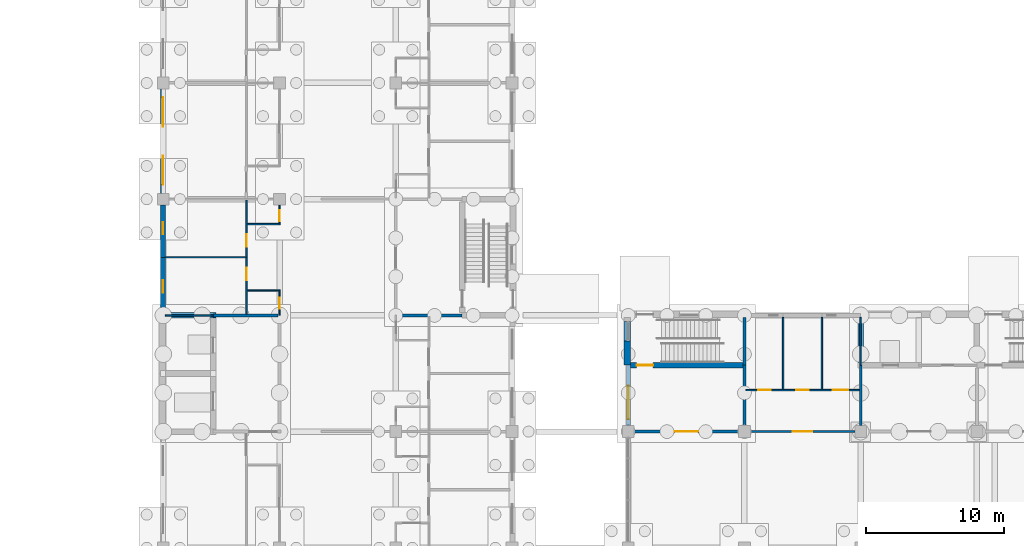
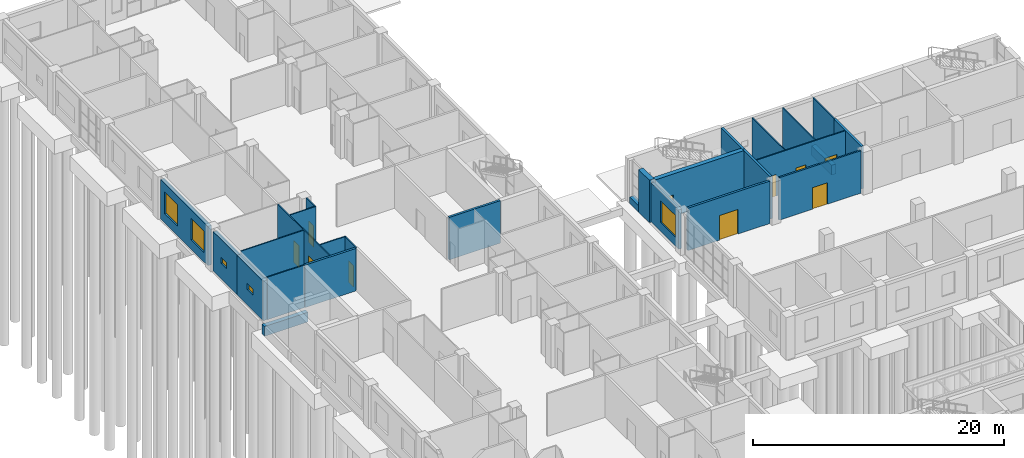
# One storey, part 106 of 138: 27 walls, 10 doors, 5 windows, 15 openings.
"""IFC4 building model written with IfcOpenShell, lengths in metres."""

from ifc_helpers import new_model, si_unit, direction, frame, frame_2d, origin, place, context, subcontext, project, spatial, rectangle, extrude, material, layer, layer_set, type_object, element, fill, save


model = new_model("IFC4")

# Units and contexts
model_context = context("Model", 3, precision=1e-05, world=origin(), true_north=direction((0.0, 1.0)))
body_context = subcontext(model_context, "Body", "Model", "MODEL_VIEW")
ifc_project = project(units=[si_unit("LENGTHUNIT", "METRE"), si_unit("AREAUNIT", "SQUARE_METRE"), si_unit("VOLUMEUNIT", "CUBIC_METRE"), si_unit("PLANEANGLEUNIT", "RADIAN"), si_unit("MASSUNIT", "GRAM", prefix="KILO")], contexts=[model_context])

# Site, building, storey
site_placement = place(None, origin())
site = spatial("IfcSite", under=ifc_project, at=site_placement, CompositionType="ELEMENT")
building_placement = place(site_placement, origin())
building = spatial("IfcBuilding", under=site, at=building_placement, Name="Yavir Park General Hospital", CompositionType="ELEMENT")
storey_placement = place(building_placement, origin())
storey = spatial("IfcBuildingStorey", under=building, at=storey_placement, Name="L00", CompositionType="ELEMENT", Elevation=0.0)

# Wall, opening, window
ifc_material_1 = material(Name="Brick slip cladding on insulated block backing", Category="masonry")
ifc_layer_1 = layer(ifc_material_1, 0.27490234375)
ifc_layer_set_1 = layer_set([ifc_layer_1], Name="Brick slip cladding on insulated block backing")
wall_type_1 = type_object("IfcWallType", Name="Brick slip faced pavilion wall 275, E 30", PredefinedType="SOLIDWALL", material=ifc_layer_set_1)
wall_1_placement = place(storey_placement, frame((33.612548828125, 67.625, 0.0), z_axis=(0.0, 0.0, 1.0), x_axis=(0.0, 1.0, 0.0)))
wall_1 = element("IfcWall", 1, at=wall_1_placement, inside=storey, type_object=wall_type_1, Name="XW3 L00-141", PredefinedType="SOLIDWALL", context=body_context, shape_type="SweptSolid", body=[
    extrude(rectangle(XDim=4.375, YDim=0.27490234375, at=frame_2d((2.1875, 0.0))), origin(), (0.0, 0.0, 1.0), 3.840087890625),
])
opening_1_placement = place(wall_1_placement, frame((0.47509765625, 0.0, 0.89990234375)))
opening_1 = element("IfcOpeningElement", 2, at=opening_1_placement, cuts=wall_1, Name="Opening WF2", PredefinedType="OPENING", context=body_context, shape_type="SweptSolid", body=[
    extrude(rectangle(XDim=2.39990234375, YDim=2.10009765625, at=frame_2d((1.199951171875, 1.050048828125))), frame((0.0, 0.1474609375, 0.0), z_axis=(0.0, -1.0, 0.0), x_axis=(1.0, 0.0, 0.0)), (0.0, 0.0, 1.0), 0.294921875),
])
ifc_material_2 = material(Name="Aluminium frame, double glazed unit", Category="aluminium")
window_type_1 = type_object("IfcWindowType", Name="Tall corridor end window 2400 x 2100", PartitioningType="DOUBLE_PANEL_VERTICAL", PredefinedType="WINDOW", material=ifc_material_2)
window_1_placement = place(opening_1_placement, origin())
window_1 = element("IfcWindow", 3, at=window_1_placement, inside=storey, type_object=window_type_1, Name="WF2 L00-062", OverallHeight=2.10009765625, OverallWidth=2.39990234375, PartitioningType="DOUBLE_PANEL_VERTICAL", PredefinedType="WINDOW", context=body_context, shape_type="SweptSolid", body=[
    extrude(rectangle(XDim=2.39990234375, YDim=2.10009765625, at=frame_2d((1.199951171875, 1.050048828125))), frame((0.0, 0.030029296875, 0.0), z_axis=(0.0, -1.0, 0.0), x_axis=(1.0, 0.0, 0.0)), (0.0, 0.0, 1.0), 0.06005859375),
])
fill(opening_1, window_1)

# Wall, opening, door
ifc_material_3 = material(Name="Double gypsum board fire partition on steel studs", Category="steel")
ifc_layer_2 = layer(ifc_material_3, 0.199951171875)
ifc_layer_set_2 = layer_set([ifc_layer_2], Name="Double gypsum board fire partition on steel studs")
wall_type_2 = type_object("IfcWallType", Name="Fire-rated partition 200, EI 60", PredefinedType="PARTITIONING", material=ifc_layer_set_2)
wall_2_placement = place(storey_placement, frame((34.02490234375, 67.199951171875, 0.0), z_axis=(0.0, 0.0, 1.0), x_axis=(1.0, 0.0, 0.0)))
wall_2 = element("IfcWall", 4, at=wall_2_placement, inside=storey, type_object=wall_type_2, Name="FP20 L00-160", PredefinedType="PARTITIONING", context=body_context, shape_type="SweptSolid", body=[
    extrude(rectangle(XDim=7.550048828125, YDim=0.199951171875, at=frame_2d((3.77490234375, 0.0))), origin(), (0.0, 0.0, 1.0), 4.139892578125),
])
opening_2_placement = place(wall_2_placement, frame((2.925048828125, 0.0, 0.0)))
opening_2 = element("IfcOpeningElement", 5, at=opening_2_placement, cuts=wall_2, Name="Opening L00.D103", PredefinedType="OPENING", context=body_context, shape_type="SweptSolid", body=[
    extrude(rectangle(XDim=1.699951171875, YDim=2.39990234375, at=frame_2d((0.85009765625, 1.199951171875))), frame((0.0, 0.10986328125, 0.0), z_axis=(0.0, -1.0, 0.0), x_axis=(1.0, 0.0, 0.0)), (0.0, 0.0, 1.0), 0.219970703125),
])
ifc_material_4 = material(Name="Steel frame, fire-resisting timber leaves", Category="steel")
door_type_1 = type_object("IfcDoorType", Name="Double fire door 1700 x 2400, EI 60", OperationType="DOUBLE_DOOR_SINGLE_SWING", PredefinedType="DOOR", material=ifc_material_4)
door_1_placement = place(opening_2_placement, origin())
door_1 = element("IfcDoor", 6, at=door_1_placement, inside=storey, type_object=door_type_1, Name="L00.D103", OperationType="SINGLE_SWING_RIGHT", OverallHeight=2.39990234375, OverallWidth=1.699951171875, PredefinedType="DOOR", context=body_context, shape_type="SweptSolid", body=[
    extrude(rectangle(XDim=1.699951171875, YDim=2.39990234375, at=frame_2d((0.85009765625, 1.199951171875))), frame((0.0, 0.02490234375, 0.0), z_axis=(0.0, -1.0, 0.0), x_axis=(1.0, 0.0, 0.0)), (0.0, 0.0, 1.0), 0.050048828125),
])
fill(opening_2, door_1)

# Walls
wall_3_placement = place(storey_placement, frame((3.60009765625, 75.60009765625, 0.0), z_axis=(0.0, 0.0, 1.0), x_axis=(1.0, 0.0, 0.0)))
element("IfcWall", 7, at=wall_3_placement, inside=storey, type_object=wall_type_2, Name="FP20 L00-178", PredefinedType="PARTITIONING", context=body_context, shape_type="SweptSolid", body=[
    extrude(rectangle(XDim=4.699951171875, YDim=0.199951171875, at=frame_2d((2.35009765625, 0.0))), origin(), (0.0, 0.0, 1.0), 4.139892578125),
])
wall_4_placement = place(storey_placement, frame((16.89990234375, 75.60009765625, 0.0), z_axis=(0.0, 0.0, 1.0), x_axis=(1.0, 0.0, 0.0)))
element("IfcWall", 8, at=wall_4_placement, inside=storey, type_object=wall_type_2, Name="FP20 L00-179", PredefinedType="PARTITIONING", context=body_context, shape_type="SweptSolid", body=[
    extrude(rectangle(XDim=4.7001953125, YDim=0.199951171875, at=frame_2d((2.35009765625, 0.0))), origin(), (0.0, 0.0, 1.0), 4.139892578125),
])
for number, where, z_axis, x_axis, name in (
    (9, (42.0, 67.625, 0.0), (0.0, 0.0, 1.0), (0.0, 1.0, 0.0), "FP20 L00-361"),
    (10, (50.39990234375, 67.625, 0.0), (0.0, 0.0, 1.0), (0.0, 1.0, 0.0), "FP20 L00-372"),
):
    element("IfcWall", number, at=place(storey_placement, frame(where, z_axis=z_axis, x_axis=x_axis)), inside=storey, type_object=wall_type_2, Name=name, PredefinedType="PARTITIONING", context=body_context, shape_type="SweptSolid", body=[
        extrude(rectangle(XDim=4.375, YDim=0.199951171875, at=frame_2d((2.1875, 0.0))), origin(), (0.0, 0.0, 1.0), 4.139892578125),
    ])
ifc_material_5 = material(Name="Double gypsum board fire partition on steel studs", Category="steel")
ifc_layer_3 = layer(ifc_material_5, 0.199951171875)
ifc_layer_set_3 = layer_set([ifc_layer_3], Name="Double gypsum board fire partition on steel studs")
wall_type_3 = type_object("IfcWallType", Name="Fire-rated partition 200, REI 150", PredefinedType="PARTITIONING", material=ifc_layer_set_3)
wall_5_placement = place(storey_placement, frame((42.0, 72.0, 0.0), z_axis=(0.0, 0.0, 1.0), x_axis=(0.0, 1.0, 0.0)))
element("IfcWall", 11, at=wall_5_placement, inside=storey, type_object=wall_type_3, Name="FP20 L00-362", PredefinedType="PARTITIONING", context=body_context, shape_type="SweptSolid", body=[
    extrude(rectangle(XDim=3.449951171875, YDim=0.199951171875, at=frame_2d((1.72509765625, 0.0))), origin(), (0.0, 0.0, 1.0), 4.139892578125),
])

# Wall, openings, doors
ifc_material_6 = material(Name="Gypsum board partition on steel studs", Category="steel")
ifc_layer_4 = layer(ifc_material_6, 0.10009765625)
ifc_layer_set_4 = layer_set([ifc_layer_4], Name="Gypsum board partition on steel studs")
wall_type_4 = type_object("IfcWallType", Name="Gypsum board partition 100", PredefinedType="PARTITIONING", material=ifc_layer_set_4)
wall_6_placement = place(storey_placement, frame((42.10009765625, 70.199951171875, 0.0), z_axis=(0.0, 0.0, 1.0), x_axis=(1.0, 0.0, 0.0)))
wall_6 = element("IfcWall", 12, at=wall_6_placement, inside=storey, type_object=wall_type_4, Name="P10 L00-167", PredefinedType="PARTITIONING", context=body_context, shape_type="SweptSolid", body=[
    extrude(rectangle(XDim=8.199951171875, YDim=0.10009765625, at=frame_2d((4.10009765625, 0.0))), origin(), (0.0, 0.0, 1.0), 4.139892578125),
])
opening_3_placement = place(wall_6_placement, frame((0.89990234375, 0.0, 0.0)))
opening_3 = element("IfcOpeningElement", 13, at=opening_3_placement, cuts=wall_6, Name="Opening L00.D108", PredefinedType="OPENING", context=body_context, shape_type="SweptSolid", body=[
    extrude(rectangle(XDim=0.89990234375, YDim=2.10009765625, at=frame_2d((0.449951171875, 1.050048828125))), frame((0.0, 0.06005859375, 0.0), z_axis=(0.0, -1.0, 0.0), x_axis=(1.0, 0.0, 0.0)), (0.0, 0.0, 1.0), 0.1201171875),
])
opening_4_placement = place(wall_6_placement, frame((3.64990234375, 0.0, 0.0)))
opening_4 = element("IfcOpeningElement", 14, at=opening_4_placement, cuts=wall_6, Name="Opening L00.D109", PredefinedType="OPENING", context=body_context, shape_type="SweptSolid", body=[
    extrude(rectangle(XDim=0.89990234375, YDim=2.10009765625, at=frame_2d((0.449951171875, 1.050048828125))), frame((0.0, 0.06005859375, 0.0), z_axis=(0.0, -1.0, 0.0), x_axis=(1.0, 0.0, 0.0)), (0.0, 0.0, 1.0), 0.1201171875),
])
opening_5_placement = place(wall_6_placement, frame((6.300048828125, 0.0, 0.0)))
opening_5 = element("IfcOpeningElement", 15, at=opening_5_placement, cuts=wall_6, Name="Opening L00.D110", PredefinedType="OPENING", context=body_context, shape_type="SweptSolid", body=[
    extrude(rectangle(XDim=1.10009765625, YDim=2.10009765625, at=frame_2d((0.550048828125, 1.050048828125))), frame((0.0, 0.06005859375, 0.0), z_axis=(0.0, -1.0, 0.0), x_axis=(1.0, 0.0, 0.0)), (0.0, 0.0, 1.0), 0.1201171875),
])
ifc_material_7 = material(Name="Timber frame, hollow-core leaf", Category="wood")
door_type_2 = type_object("IfcDoorType", Name="Light cupboard door 900 x 2100", OperationType="SINGLE_SWING_LEFT", PredefinedType="DOOR", material=ifc_material_7)
door_2_placement = place(opening_3_placement, origin())
door_2 = element("IfcDoor", 16, at=door_2_placement, inside=storey, type_object=door_type_2, Name="L00.D108", OperationType="SINGLE_SWING_LEFT", OverallHeight=2.10009765625, OverallWidth=0.89990234375, PredefinedType="DOOR", context=body_context, shape_type="SweptSolid", body=[
    extrude(rectangle(XDim=0.89990234375, YDim=2.10009765625, at=frame_2d((0.449951171875, 1.050048828125))), frame((0.0, 0.02001953125, 0.0), z_axis=(0.0, -1.0, 0.0), x_axis=(1.0, 0.0, 0.0)), (0.0, 0.0, 1.0), 0.0400390625),
])
fill(opening_3, door_2)
door_3_placement = place(opening_4_placement, origin())
door_3 = element("IfcDoor", 17, at=door_3_placement, inside=storey, type_object=door_type_2, Name="L00.D109", OperationType="SINGLE_SWING_RIGHT", OverallHeight=2.10009765625, OverallWidth=0.89990234375, PredefinedType="DOOR", context=body_context, shape_type="SweptSolid", body=[
    extrude(rectangle(XDim=0.89990234375, YDim=2.10009765625, at=frame_2d((0.449951171875, 1.050048828125))), frame((0.0, 0.02001953125, 0.0), z_axis=(0.0, -1.0, 0.0), x_axis=(1.0, 0.0, 0.0)), (0.0, 0.0, 1.0), 0.0400390625),
])
fill(opening_4, door_3)
ifc_material_8 = material(Name="Hollow metal frame, solid-core timber leaf", Category="wood")
door_type_3 = type_object("IfcDoorType", Name="Single swing door 1100 x 2100", OperationType="SINGLE_SWING_LEFT", PredefinedType="DOOR", material=ifc_material_8)
door_4_placement = place(opening_5_placement, origin())
door_4 = element("IfcDoor", 18, at=door_4_placement, inside=storey, type_object=door_type_3, Name="L00.D110", OperationType="SINGLE_SWING_RIGHT", OverallHeight=2.10009765625, OverallWidth=1.10009765625, PredefinedType="DOOR", context=body_context, shape_type="SweptSolid", body=[
    extrude(rectangle(XDim=1.10009765625, YDim=2.10009765625, at=frame_2d((0.550048828125, 1.050048828125))), frame((0.0, 0.02490234375, 0.0), z_axis=(0.0, -1.0, 0.0), x_axis=(1.0, 0.0, 0.0)), (0.0, 0.0, 1.0), 0.050048828125),
])
fill(opening_5, door_4)

# Walls
wall_7_placement = place(storey_placement, frame((0.14990234375, 75.60009765625, 0.0), z_axis=(0.0, 0.0, 1.0), x_axis=(1.0, 0.0, 0.0)))
element("IfcWall", 19, at=wall_7_placement, inside=storey, type_object=wall_type_4, Name="P10 L00-177", PredefinedType="PARTITIONING", context=body_context, shape_type="SweptSolid", body=[
    extrude(rectangle(XDim=3.4501953125, YDim=0.10009765625, at=frame_2d((1.72509765625, 0.0))), origin(), (0.0, 0.0, 1.0), 4.139892578125),
])
wall_8_placement = place(storey_placement, frame((6.050048828125, 77.39990234375, 0.0), z_axis=(0.0, 0.0, 1.0), x_axis=(1.0, 0.0, 0.0)))
element("IfcWall", 20, at=wall_8_placement, inside=storey, type_object=wall_type_4, Name="P10 L00-186", PredefinedType="PARTITIONING", context=body_context, shape_type="SweptSolid", body=[
    extrude(rectangle(XDim=2.39990234375, YDim=0.10009765625, at=frame_2d((1.199951171875, 0.0))), origin(), (0.0, 0.0, 1.0), 4.139892578125),
])
wall_9_placement = place(storey_placement, frame((0.14990234375, 79.800048828125, 0.0), z_axis=(0.0, 0.0, 1.0), x_axis=(1.0, 0.0, 0.0)))
element("IfcWall", 21, at=wall_9_placement, inside=storey, type_object=wall_type_4, Name="P10 L00-187", PredefinedType="PARTITIONING", context=body_context, shape_type="SweptSolid", body=[
    extrude(rectangle(XDim=5.800048828125, YDim=0.10009765625, at=frame_2d((2.89990234375, 0.0))), origin(), (0.0, 0.0, 1.0), 4.139892578125),
])
wall_10_placement = place(storey_placement, frame((6.050048828125, 82.199951171875, 0.0), z_axis=(0.0, 0.0, 1.0), x_axis=(1.0, 0.0, 0.0)))
element("IfcWall", 22, at=wall_10_placement, inside=storey, type_object=wall_type_4, Name="P10 L00-189", PredefinedType="PARTITIONING", context=body_context, shape_type="SweptSolid", body=[
    extrude(rectangle(XDim=2.39990234375, YDim=0.10009765625, at=frame_2d((1.199951171875, 0.0))), origin(), (0.0, 0.0, 1.0), 4.139892578125),
])

# Wall, openings, doors
wall_11_placement = place(storey_placement, frame((6.0, 75.699951171875, 0.0), z_axis=(0.0, 0.0, 1.0), x_axis=(0.0, 1.0, 0.0)))
wall_11 = element("IfcWall", 23, at=wall_11_placement, inside=storey, type_object=wall_type_4, Name="P10 L00-266", PredefinedType="PARTITIONING", context=body_context, shape_type="SweptSolid", body=[
    extrude(rectangle(XDim=8.25, YDim=0.10009765625, at=frame_2d((4.125, 0.0))), origin(), (0.0, 0.0, 1.0), 4.139892578125),
])
opening_6_placement = place(wall_11_placement, frame((2.449951171875, 0.0, 0.0)))
opening_6 = element("IfcOpeningElement", 24, at=opening_6_placement, cuts=wall_11, Name="Opening L00.D137", PredefinedType="OPENING", context=body_context, shape_type="SweptSolid", body=[
    extrude(rectangle(XDim=0.89990234375, YDim=2.10009765625, at=frame_2d((0.449951171875, 1.050048828125))), frame((0.0, 0.06005859375, 0.0), z_axis=(0.0, -1.0, 0.0), x_axis=(1.0, 0.0, 0.0)), (0.0, 0.0, 1.0), 0.1201171875),
])
opening_7_placement = place(wall_11_placement, frame((4.85009765625, 0.0, 0.0)))
opening_7 = element("IfcOpeningElement", 25, at=opening_7_placement, cuts=wall_11, Name="Opening L00.D138", PredefinedType="OPENING", context=body_context, shape_type="SweptSolid", body=[
    extrude(rectangle(XDim=0.89990234375, YDim=2.10009765625, at=frame_2d((0.449951171875, 1.050048828125))), frame((0.0, 0.06005859375, 0.0), z_axis=(0.0, -1.0, 0.0), x_axis=(1.0, 0.0, 0.0)), (0.0, 0.0, 1.0), 0.1201171875),
])
door_5_placement = place(opening_6_placement, origin())
door_5 = element("IfcDoor", 26, at=door_5_placement, inside=storey, type_object=door_type_2, Name="L00.D137", OperationType="SINGLE_SWING_LEFT", OverallHeight=2.10009765625, OverallWidth=0.89990234375, PredefinedType="DOOR", context=body_context, shape_type="SweptSolid", body=[
    extrude(rectangle(XDim=0.89990234375, YDim=2.10009765625, at=frame_2d((0.449951171875, 1.050048828125))), frame((0.0, 0.02001953125, 0.0), z_axis=(0.0, -1.0, 0.0), x_axis=(1.0, 0.0, 0.0)), (0.0, 0.0, 1.0), 0.0400390625),
])
fill(opening_6, door_5)
door_6_placement = place(opening_7_placement, origin())
door_6 = element("IfcDoor", 27, at=door_6_placement, inside=storey, type_object=door_type_2, Name="L00.D138", OperationType="SINGLE_SWING_RIGHT", OverallHeight=2.10009765625, OverallWidth=0.89990234375, PredefinedType="DOOR", context=body_context, shape_type="SweptSolid", body=[
    extrude(rectangle(XDim=0.89990234375, YDim=2.10009765625, at=frame_2d((0.449951171875, 1.050048828125))), frame((0.0, 0.02001953125, 0.0), z_axis=(0.0, -1.0, 0.0), x_axis=(1.0, 0.0, 0.0)), (0.0, 0.0, 1.0), 0.0400390625),
])
fill(opening_7, door_6)

# Wall, opening, door
wall_12_placement = place(storey_placement, frame((8.39990234375, 75.60009765625, 0.0), z_axis=(0.0, 0.0, 1.0), x_axis=(0.0, 1.0, 0.0)))
wall_12 = element("IfcWall", 28, at=wall_12_placement, inside=storey, type_object=wall_type_4, Name="P10 L00-287", PredefinedType="PARTITIONING", context=body_context, shape_type="SweptSolid", body=[
    extrude(rectangle(XDim=1.75, YDim=0.10009765625, at=frame_2d((0.875, 0.0))), origin(), (0.0, 0.0, 1.0), 4.139892578125),
])
opening_8_placement = place(wall_12_placement, frame((0.47509765625, 0.0, 0.0)))
opening_8 = element("IfcOpeningElement", 29, at=opening_8_placement, cuts=wall_12, Name="Opening L00.D152", PredefinedType="OPENING", context=body_context, shape_type="SweptSolid", body=[
    extrude(rectangle(XDim=0.800048828125, YDim=2.10009765625, at=frame_2d((0.39990234375, 1.050048828125))), frame((0.0, 0.06005859375, 0.0), z_axis=(0.0, -1.0, 0.0), x_axis=(1.0, 0.0, 0.0)), (0.0, 0.0, 1.0), 0.1201171875),
])
ifc_material_9 = material(Name="Timber frame, hollow-core leaf", Category="wood")
door_type_4 = type_object("IfcDoorType", Name="Light cupboard door 800 x 2100", OperationType="SINGLE_SWING_LEFT", PredefinedType="DOOR", material=ifc_material_9)
door_7_placement = place(opening_8_placement, origin())
door_7 = element("IfcDoor", 30, at=door_7_placement, inside=storey, type_object=door_type_4, Name="L00.D152", OperationType="SINGLE_SWING_LEFT", OverallHeight=2.10009765625, OverallWidth=0.800048828125, PredefinedType="DOOR", context=body_context, shape_type="SweptSolid", body=[
    extrude(rectangle(XDim=0.800048828125, YDim=2.10009765625, at=frame_2d((0.39990234375, 1.050048828125))), frame((0.0, 0.02001953125, 0.0), z_axis=(0.0, -1.0, 0.0), x_axis=(1.0, 0.0, 0.0)), (0.0, 0.0, 1.0), 0.0400390625),
])
fill(opening_8, door_7)

wall_13_placement = place(storey_placement, frame((8.39990234375, 82.25, 0.0), z_axis=(0.0, 0.0, 1.0), x_axis=(0.0, 1.0, 0.0)))
wall_13 = element("IfcWall", 31, at=wall_13_placement, inside=storey, type_object=wall_type_4, Name="P10 L00-288", PredefinedType="PARTITIONING", context=body_context, shape_type="SweptSolid", body=[
    extrude(rectangle(XDim=1.324951171875, YDim=0.10009765625, at=frame_2d((0.66259765625, 0.0))), origin(), (0.0, 0.0, 1.0), 4.139892578125),
])
opening_9_placement = place(wall_13_placement, frame((0.16259765625, 0.0, 0.0)))
opening_9 = element("IfcOpeningElement", 32, at=opening_9_placement, cuts=wall_13, Name="Opening L00.D153", PredefinedType="OPENING", context=body_context, shape_type="SweptSolid", body=[
    extrude(rectangle(XDim=0.800048828125, YDim=2.10009765625, at=frame_2d((0.39990234375, 1.050048828125))), frame((0.0, 0.06005859375, 0.0), z_axis=(0.0, -1.0, 0.0), x_axis=(1.0, 0.0, 0.0)), (0.0, 0.0, 1.0), 0.1201171875),
])
door_8_placement = place(opening_9_placement, origin())
door_8 = element("IfcDoor", 33, at=door_8_placement, inside=storey, type_object=door_type_4, Name="L00.D153", OperationType="SINGLE_SWING_RIGHT", OverallHeight=2.10009765625, OverallWidth=0.800048828125, PredefinedType="DOOR", context=body_context, shape_type="SweptSolid", body=[
    extrude(rectangle(XDim=0.800048828125, YDim=2.10009765625, at=frame_2d((0.39990234375, 1.050048828125))), frame((0.0, 0.02001953125, 0.0), z_axis=(0.0, -1.0, 0.0), x_axis=(1.0, 0.0, 0.0)), (0.0, 0.0, 1.0), 0.0400390625),
])
fill(opening_9, door_8)

# Walls
for number, where, z_axis, x_axis, name in (
    (34, (44.800048828125, 70.25, 0.0), (0.0, 0.0, 1.0), (0.0, 1.0, 0.0), "P10 L00-363"),
    (35, (47.60009765625, 70.25, 0.0), (0.0, 0.0, 1.0), (0.0, 1.0, 0.0), "P10 L00-367"),
):
    element("IfcWall", number, at=place(storey_placement, frame(where, z_axis=z_axis, x_axis=x_axis)), inside=storey, type_object=wall_type_4, Name=name, PredefinedType="PARTITIONING", context=body_context, shape_type="SweptSolid", body=[
        extrude(rectangle(XDim=5.199951171875, YDim=0.10009765625, at=frame_2d((2.60009765625, 0.0))), origin(), (0.0, 0.0, 1.0), 4.139892578125),
    ])
wall_14_placement = place(storey_placement, frame((50.39990234375, 72.0, 0.0), z_axis=(0.0, 0.0, 1.0), x_axis=(0.0, 1.0, 0.0)))
element("IfcWall", 36, at=wall_14_placement, inside=storey, type_object=wall_type_4, Name="P10 L00-373", PredefinedType="PARTITIONING", context=body_context, shape_type="SweptSolid", body=[
    extrude(rectangle(XDim=3.449951171875, YDim=0.10009765625, at=frame_2d((1.72509765625, 0.0))), origin(), (0.0, 0.0, 1.0), 4.139892578125),
])

# Wall, opening, door
ifc_material_10 = material(Name="Gypsum board partition on steel studs", Category="steel")
ifc_layer_5 = layer(ifc_material_10, 0.14990234375)
ifc_layer_set_5 = layer_set([ifc_layer_5], Name="Gypsum board partition on steel studs")
wall_type_5 = type_object("IfcWallType", Name="Gypsum board partition 150", PredefinedType="PARTITIONING", material=ifc_layer_set_5)
wall_15_placement = place(storey_placement, frame((42.425048828125, 67.199951171875, 0.0), z_axis=(0.0, 0.0, 1.0), x_axis=(1.0, 0.0, 0.0)))
wall_15 = element("IfcWall", 37, at=wall_15_placement, inside=storey, type_object=wall_type_5, Name="P15 L00-161", PredefinedType="PARTITIONING", context=body_context, shape_type="SweptSolid", body=[
    extrude(rectangle(XDim=7.550048828125, YDim=0.14990234375, at=frame_2d((3.77490234375, 0.0))), origin(), (0.0, 0.0, 1.0), 4.139892578125),
])
opening_10_placement = place(wall_15_placement, frame((3.074951171875, 0.0, 0.0)))
opening_10 = element("IfcOpeningElement", 38, at=opening_10_placement, cuts=wall_15, Name="Opening L00.D104", PredefinedType="OPENING", context=body_context, shape_type="SweptSolid", body=[
    extrude(rectangle(XDim=1.39990234375, YDim=2.10009765625, at=frame_2d((0.699951171875, 1.050048828125))), frame((0.0, 0.0849609375, 0.0), z_axis=(0.0, -1.0, 0.0), x_axis=(1.0, 0.0, 0.0)), (0.0, 0.0, 1.0), 0.169921875),
])
ifc_material_11 = material(Name="Hollow metal frame, solid-core timber leaf", Category="wood")
door_type_5 = type_object("IfcDoorType", Name="Double swing door 1400 x 2100", OperationType="DOUBLE_DOOR_SINGLE_SWING", PredefinedType="DOOR", material=ifc_material_11)
door_9_placement = place(opening_10_placement, origin())
door_9 = element("IfcDoor", 39, at=door_9_placement, inside=storey, type_object=door_type_5, Name="L00.D104", OperationType="SINGLE_SWING_RIGHT", OverallHeight=2.10009765625, OverallWidth=1.39990234375, PredefinedType="DOOR", context=body_context, shape_type="SweptSolid", body=[
    extrude(rectangle(XDim=1.39990234375, YDim=2.10009765625, at=frame_2d((0.699951171875, 1.050048828125))), frame((0.0, 0.02490234375, 0.0), z_axis=(0.0, -1.0, 0.0), x_axis=(1.0, 0.0, 0.0)), (0.0, 0.0, 1.0), 0.050048828125),
])
fill(opening_10, door_9)

# Wall, opening, window
ifc_material_12 = material(Name="Concrete C30/37 precast panel with 120 mm mineral wool insulation", Category="concrete")
ifc_layer_6 = layer(ifc_material_12, 0.35009765625)
ifc_layer_set_6 = layer_set([ifc_layer_6], Name="Concrete C30/37 precast panel with 120 mm mineral wool insulation")
wall_type_6 = type_object("IfcWallType", Name="Precast cladding panel podium wall 350, E 30", PredefinedType="SOLIDWALL", material=ifc_layer_set_6)
wall_16_placement = place(storey_placement, frame((-0.02490234375, 75.60009765625, 0.0), z_axis=(0.0, 0.0, 1.0), x_axis=(0.0, 1.0, 0.0)))
wall_16 = element("IfcWall", 40, at=wall_16_placement, inside=storey, type_object=wall_type_6, Name="XW2 L00-109", PredefinedType="SOLIDWALL", context=body_context, shape_type="SweptSolid", body=[
    extrude(rectangle(XDim=4.199951171875, YDim=0.35009765625, at=frame_2d((2.10009765625, 0.0))), origin(), (0.0, 0.0, 1.0), 3.840087890625),
])
opening_11_placement = place(wall_16_placement, frame((1.64990234375, 0.0, 1.5)))
opening_11 = element("IfcOpeningElement", 41, at=opening_11_placement, cuts=wall_16, Name="Opening WE", PredefinedType="OPENING", context=body_context, shape_type="SweptSolid", body=[
    extrude(rectangle(XDim=0.89990234375, YDim=0.60009765625, at=frame_2d((0.449951171875, 0.300048828125))), frame((0.0, 0.18505859375, 0.0), z_axis=(0.0, -1.0, 0.0), x_axis=(1.0, 0.0, 0.0)), (0.0, 0.0, 1.0), 0.3701171875),
])
ifc_material_13 = material(Name="Aluminium frame, obscured glazed unit", Category="aluminium")
window_type_2 = type_object("IfcWindowType", Name="Toilet window 900 x 600", PartitioningType="SINGLE_PANEL", PredefinedType="WINDOW", material=ifc_material_13)
window_2_placement = place(opening_11_placement, origin())
window_2 = element("IfcWindow", 42, at=window_2_placement, inside=storey, type_object=window_type_2, Name="WE L00-039", OverallHeight=0.60009765625, OverallWidth=0.89990234375, PartitioningType="SINGLE_PANEL", PredefinedType="WINDOW", context=body_context, shape_type="SweptSolid", body=[
    extrude(rectangle(XDim=0.89990234375, YDim=0.60009765625, at=frame_2d((0.449951171875, 0.300048828125))), frame((0.0, 0.030029296875, 0.0), z_axis=(0.0, -1.0, 0.0), x_axis=(1.0, 0.0, 0.0)), (0.0, 0.0, 1.0), 0.06005859375),
])
fill(opening_11, window_2)

wall_17_placement = place(storey_placement, frame((-0.02490234375, 79.800048828125, 0.0), z_axis=(0.0, 0.0, 1.0), x_axis=(0.0, 1.0, 0.0)))
wall_17 = element("IfcWall", 43, at=wall_17_placement, inside=storey, type_object=wall_type_6, Name="XW2 L00-110", PredefinedType="SOLIDWALL", context=body_context, shape_type="SweptSolid", body=[
    extrude(rectangle(XDim=3.77490234375, YDim=0.35009765625, at=frame_2d((1.887451171875, 0.0))), origin(), (0.0, 0.0, 1.0), 3.840087890625),
])
opening_12_placement = place(wall_17_placement, frame((1.64990234375, 0.0, 1.5)))
opening_12 = element("IfcOpeningElement", 44, at=opening_12_placement, cuts=wall_17, Name="Opening WE", PredefinedType="OPENING", context=body_context, shape_type="SweptSolid", body=[
    extrude(rectangle(XDim=0.89990234375, YDim=0.60009765625, at=frame_2d((0.449951171875, 0.300048828125))), frame((0.0, 0.18505859375, 0.0), z_axis=(0.0, -1.0, 0.0), x_axis=(1.0, 0.0, 0.0)), (0.0, 0.0, 1.0), 0.3701171875),
])
window_3_placement = place(opening_12_placement, origin())
window_3 = element("IfcWindow", 45, at=window_3_placement, inside=storey, type_object=window_type_2, Name="WE L00-040", OverallHeight=0.60009765625, OverallWidth=0.89990234375, PartitioningType="SINGLE_PANEL", PredefinedType="WINDOW", context=body_context, shape_type="SweptSolid", body=[
    extrude(rectangle(XDim=0.89990234375, YDim=0.60009765625, at=frame_2d((0.449951171875, 0.300048828125))), frame((0.0, 0.030029296875, 0.0), z_axis=(0.0, -1.0, 0.0), x_axis=(1.0, 0.0, 0.0)), (0.0, 0.0, 1.0), 0.06005859375),
])
fill(opening_12, window_3)

# Wall, openings, windows
wall_18_placement = place(storey_placement, frame((-0.02490234375, 84.425048828125, 0.0), z_axis=(0.0, 0.0, 1.0), x_axis=(0.0, 1.0, 0.0)))
wall_18 = element("IfcWall", 46, at=wall_18_placement, inside=storey, type_object=wall_type_6, Name="XW2 L00-111", PredefinedType="SOLIDWALL", context=body_context, shape_type="SweptSolid", body=[
    extrude(rectangle(XDim=7.550048828125, YDim=0.35009765625, at=frame_2d((3.77490234375, 0.0))), origin(), (0.0, 0.0, 1.0), 3.840087890625),
])
opening_13_placement = place(wall_18_placement, frame((0.625, 0.0, 0.89990234375)))
opening_13 = element("IfcOpeningElement", 47, at=opening_13_placement, cuts=wall_18, Name="Opening WA2", PredefinedType="OPENING", context=body_context, shape_type="SweptSolid", body=[
    extrude(rectangle(XDim=2.10009765625, YDim=2.10009765625, at=frame_2d((1.050048828125, 1.050048828125))), frame((0.0, 0.18505859375, 0.0), z_axis=(0.0, -1.0, 0.0), x_axis=(1.0, 0.0, 0.0)), (0.0, 0.0, 1.0), 0.3701171875),
])
opening_14_placement = place(wall_18_placement, frame((4.824951171875, 0.0, 0.89990234375)))
opening_14 = element("IfcOpeningElement", 48, at=opening_14_placement, cuts=wall_18, Name="Opening WA2", PredefinedType="OPENING", context=body_context, shape_type="SweptSolid", body=[
    extrude(rectangle(XDim=2.10009765625, YDim=2.10009765625, at=frame_2d((1.050048828125, 1.050048828125))), frame((0.0, 0.18505859375, 0.0), z_axis=(0.0, -1.0, 0.0), x_axis=(1.0, 0.0, 0.0)), (0.0, 0.0, 1.0), 0.3701171875),
])
ifc_material_14 = material(Name="Aluminium frame, double glazed unit", Category="aluminium")
window_type_3 = type_object("IfcWindowType", Name="Tall window 2100 x 2100", PartitioningType="DOUBLE_PANEL_VERTICAL", PredefinedType="WINDOW", material=ifc_material_14)
window_4_placement = place(opening_13_placement, origin())
window_4 = element("IfcWindow", 49, at=window_4_placement, inside=storey, type_object=window_type_3, Name="WA2 L00-041", OverallHeight=2.10009765625, OverallWidth=2.10009765625, PartitioningType="DOUBLE_PANEL_VERTICAL", PredefinedType="WINDOW", context=body_context, shape_type="SweptSolid", body=[
    extrude(rectangle(XDim=2.10009765625, YDim=2.10009765625, at=frame_2d((1.050048828125, 1.050048828125))), frame((0.0, 0.030029296875, 0.0), z_axis=(0.0, -1.0, 0.0), x_axis=(1.0, 0.0, 0.0)), (0.0, 0.0, 1.0), 0.06005859375),
])
fill(opening_13, window_4)
window_5_placement = place(opening_14_placement, origin())
window_5 = element("IfcWindow", 50, at=window_5_placement, inside=storey, type_object=window_type_3, Name="WA2 L00-042", OverallHeight=2.10009765625, OverallWidth=2.10009765625, PartitioningType="DOUBLE_PANEL_VERTICAL", PredefinedType="WINDOW", context=body_context, shape_type="SweptSolid", body=[
    extrude(rectangle(XDim=2.10009765625, YDim=2.10009765625, at=frame_2d((1.050048828125, 1.050048828125))), frame((0.0, 0.030029296875, 0.0), z_axis=(0.0, -1.0, 0.0), x_axis=(1.0, 0.0, 0.0)), (0.0, 0.0, 1.0), 0.06005859375),
])
fill(opening_14, window_5)

# Walls
ifc_material_15 = material(Name="Concrete C35/45", Category="concrete")
ifc_layer_7 = layer(ifc_material_15, 0.39990234375)
ifc_layer_set_7 = layer_set([ifc_layer_7], Name="Concrete C35/45")
wall_type_7 = type_object("IfcWallType", Name="RC WALL LIFT PIT 400", PredefinedType="SOLIDWALL", material=ifc_layer_set_7)
wall_19_placement = place(storey_placement, frame((-0.199951171875, 75.60009765625, -1.39990234375), z_axis=(0.0, 0.0, 1.0), x_axis=(1.0, 0.0, 0.0)))
element("IfcWall", 51, at=wall_19_placement, inside=storey, type_object=wall_type_7, Name="W:PIT:AL:2", PredefinedType="SOLIDWALL", context=body_context, shape_type="SweptSolid", body=[
    extrude(rectangle(XDim=4.0, YDim=0.39990234375, at=frame_2d((2.0, 0.0))), origin(), (0.0, 0.0, 1.0), 0.949951171875),
])
wall_20_placement = place(storey_placement, frame((50.39990234375, 72.199951171875, -1.39990234375), z_axis=(0.0, 0.0, 1.0), x_axis=(0.0, 1.0, 0.0)))
element("IfcWall", 52, at=wall_20_placement, inside=storey, type_object=wall_type_7, Name="W:PIT:CPL:2", PredefinedType="SOLIDWALL", context=body_context, shape_type="SweptSolid", body=[
    extrude(rectangle(XDim=3.199951171875, YDim=0.39990234375, at=frame_2d((1.60009765625, 0.0))), origin(), (0.0, 0.0, 1.0), 0.949951171875),
])

# Wall, opening, door
ifc_material_16 = material(Name="Concrete C35/45", Category="concrete")
ifc_layer_8 = layer(ifc_material_16, 0.39990234375)
ifc_layer_set_8 = layer_set([ifc_layer_8], Name="Concrete C35/45")
wall_type_8 = type_object("IfcWallType", Name="Reinforced concrete core wall 400, REI 150", PredefinedType="SHEAR", material=ifc_layer_set_8)
wall_21_placement = place(storey_placement, frame((33.75, 72.0, 0.0), z_axis=(0.0, 0.0, 1.0), x_axis=(1.0, 0.0, 0.0)))
wall_21 = element("IfcWall", 53, at=wall_21_placement, inside=storey, type_object=wall_type_8, Name="CW40 L00-171", PredefinedType="SHEAR", context=body_context, shape_type="SweptSolid", body=[
    extrude(rectangle(XDim=8.14990234375, YDim=0.39990234375, at=frame_2d((4.074951171875, 0.0))), origin(), (0.0, 0.0, 1.0), 4.139892578125),
])
opening_15_placement = place(wall_21_placement, frame((0.449951171875, 0.0, 0.0)))
opening_15 = element("IfcOpeningElement", 54, at=opening_15_placement, cuts=wall_21, Name="Opening L00.D111", PredefinedType="OPENING", context=body_context, shape_type="SweptSolid", body=[
    extrude(rectangle(XDim=1.199951171875, YDim=2.10009765625, at=frame_2d((0.60009765625, 1.050048828125))), frame((0.0, 0.2099609375, 0.0), z_axis=(0.0, -1.0, 0.0), x_axis=(1.0, 0.0, 0.0)), (0.0, 0.0, 1.0), 0.419921875),
])
ifc_material_17 = material(Name="Steel frame, fire-resisting timber leaf", Category="steel")
door_type_6 = type_object("IfcDoorType", Name="Fire door 1200 x 2100, EI 60", OperationType="SINGLE_SWING_LEFT", PredefinedType="DOOR", material=ifc_material_17)
door_10_placement = place(opening_15_placement, origin())
door_10 = element("IfcDoor", 55, at=door_10_placement, inside=storey, type_object=door_type_6, Name="L00.D111", OperationType="SINGLE_SWING_LEFT", OverallHeight=2.10009765625, OverallWidth=1.199951171875, PredefinedType="DOOR", context=body_context, shape_type="SweptSolid", body=[
    extrude(rectangle(XDim=1.199951171875, YDim=2.10009765625, at=frame_2d((0.60009765625, 1.050048828125))), frame((0.0, 0.02490234375, 0.0), z_axis=(0.0, -1.0, 0.0), x_axis=(1.0, 0.0, 0.0)), (0.0, 0.0, 1.0), 0.050048828125),
])
fill(opening_15, door_10)

# Walls
ifc_material_18 = material(Name="Concrete C30/37 precast panel with 150 mm mineral wool insulation", Category="concrete")
ifc_layer_9 = layer(ifc_material_18, 0.449951171875)
ifc_layer_set_9 = layer_set([ifc_layer_9], Name="Concrete C30/37 precast panel with 150 mm mineral wool insulation")
wall_type_9 = type_object("IfcWallType", Name="Stair enclosure wall 450, REI 150", PredefinedType="SOLIDWALL", material=ifc_layer_set_9)
wall_22_placement = place(storey_placement, frame((33.52490234375, 72.0, 0.0), z_axis=(0.0, 0.0, 1.0), x_axis=(0.0, 1.0, 0.0)))
element("IfcWall", 56, at=wall_22_placement, inside=storey, type_object=wall_type_9, Name="XW6 L00-142", PredefinedType="SOLIDWALL", context=body_context, shape_type="SweptSolid", body=[
    extrude(rectangle(XDim=1.75, YDim=0.449951171875, at=frame_2d((0.875, 0.0))), origin(), (0.0, 0.0, 1.0), 4.139892578125),
])
wall_23_placement = place(storey_placement, frame((33.52490234375, 73.75, 0.0), z_axis=(0.0, 0.0, 1.0), x_axis=(0.0, 1.0, 0.0)))
element("IfcWall", 57, at=wall_23_placement, inside=storey, type_object=wall_type_9, Name="XW6 L00-144", PredefinedType="SOLIDWALL", context=body_context, shape_type="SweptSolid", body=[
    extrude(rectangle(XDim=1.39990234375, YDim=0.449951171875, at=frame_2d((0.699951171875, 0.0))), origin(), (0.0, 0.0, 1.0), 0.60009765625),
])

save(model, "model.ifc")
